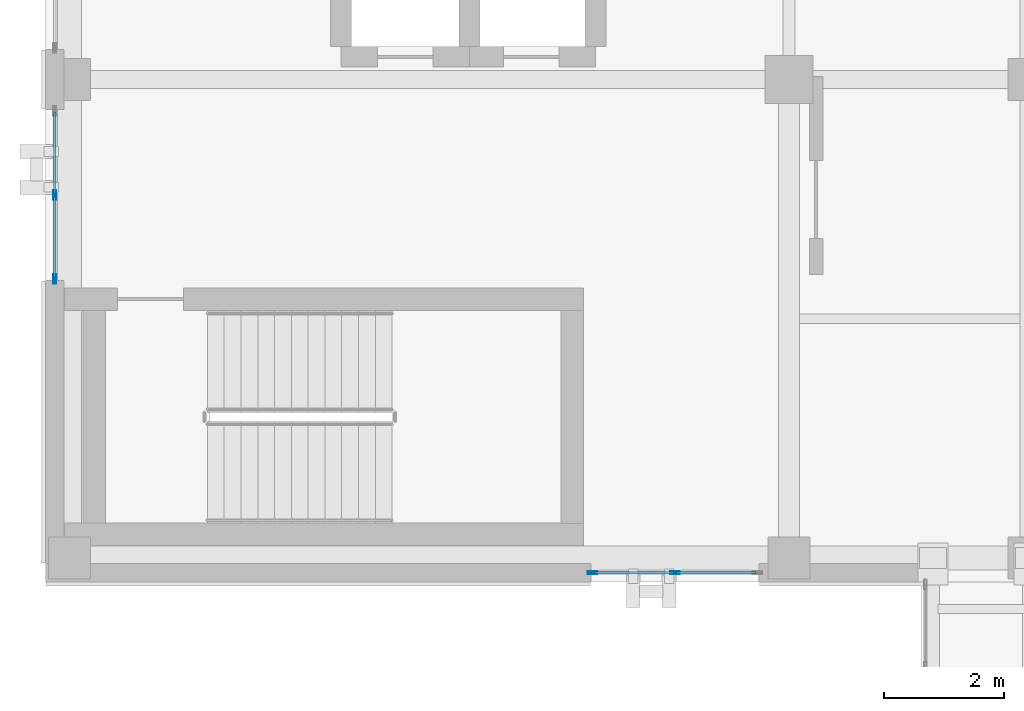
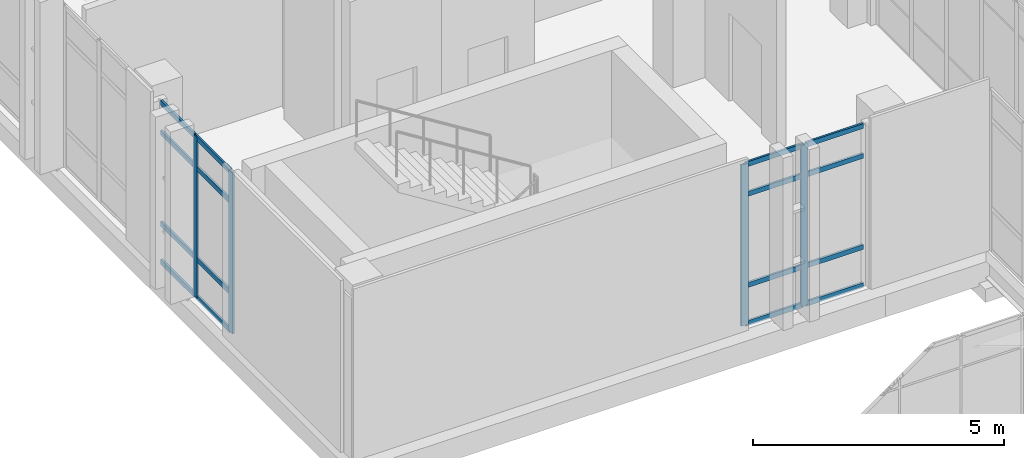
# One storey, part 20 of 193: 20 members, 2 elements without a shape of their own.
"""IFC4 building model written with IfcOpenShell, lengths in metres."""

from ifc_helpers import new_model, si_unit, direction, frame, origin, origin_2d, place, context, subcontext, project, spatial, hollow_rectangle, extrude, material, layer, layer_set, material_profile, profile_set, type_object, element, aggregate, save


model = new_model("IFC4")

# Units and contexts
model_context = context("Model", 3, precision=1e-05, world=origin(), true_north=direction((0.0, 1.0)))
body_context = subcontext(model_context, "Body", "Model", "MODEL_VIEW")
ifc_project = project(units=[si_unit("LENGTHUNIT", "METRE"), si_unit("AREAUNIT", "SQUARE_METRE"), si_unit("VOLUMEUNIT", "CUBIC_METRE"), si_unit("PLANEANGLEUNIT", "RADIAN"), si_unit("MASSUNIT", "GRAM", prefix="KILO")], contexts=[model_context])

# Site, building, storey
site_placement = place(None, origin())
site = spatial("IfcSite", under=ifc_project, at=site_placement, CompositionType="ELEMENT")
building_placement = place(site_placement, origin())
building = spatial("IfcBuilding", under=site, at=building_placement, Name="Qalavern Law Courts", CompositionType="ELEMENT")
storey_placement = place(building_placement, frame((0.0, 0.0, 10.199951171875)))
storey = spatial("IfcBuildingStorey", under=building, at=storey_placement, Name="L02", CompositionType="ELEMENT", Elevation=10.199951171875)

# Curtain wall, members
ifc_material_1 = material(Name="Anodised aluminium and insulated glazing", Category="aluminium")
ifc_layer = layer(ifc_material_1, 0.172119140625)
ifc_layer_set = layer_set([ifc_layer], Name="Anodised aluminium and insulated glazing")
curtain_wall_type = type_object("IfcCurtainWallType", Name="ENV-CW-COURT", PredefinedType="USERDEFINED", material=ifc_layer_set)
curtain_wall_1_placement = place(storey_placement, origin())
curtain_wall_1 = element("IfcCurtainWall", 1, at=curtain_wall_1_placement, inside=storey, type_object=curtain_wall_type, Name="V3 unitised curtain wall L02 south 1", ObjectType="UNITISED CURTAIN WALL", PredefinedType="USERDEFINED")
ifc_material_2 = material(Name="Anodised aluminium", Category="aluminium")
ifc_material_profile_1 = material_profile(ifc_material_2, hollow_rectangle(XDim=0.048095703125, YDim=0.159912109375, WallThickness=0.00390625, at=origin_2d()), Name="ALU MULLION 48x160")
ifc_profile_set_1 = profile_set([ifc_material_profile_1], Name="Anodised aluminium")
member_type_1 = type_object("IfcMemberType", Name="ENV-CWM-48x160", PredefinedType="MULLION", material=ifc_profile_set_1)
member_1_placement = place(storey_placement, frame((11.1240234375, 41.175048828125, 0.0), z_axis=(0.0, 0.0, 1.0), x_axis=(0.0, 1.0, 0.0)))
member_1 = element("IfcMember", 2, at=member_1_placement, type_object=member_type_1, Name="CW-03 mullion 1", PredefinedType="MULLION", context=body_context, shape_type="SweptSolid", body=[
    extrude(hollow_rectangle(XDim=0.048095703125, YDim=0.159912109375, WallThickness=0.00390625, at=origin_2d()), origin(), (0.0, 0.0, 1.0), 3.9150390625),
])
member_2_placement = place(storey_placement, frame((12.5, 41.175048828125, 0.0), z_axis=(0.0, 0.0, 1.0), x_axis=(0.0, 1.0, 0.0)))
member_2 = element("IfcMember", 3, at=member_2_placement, type_object=member_type_1, Name="CW-03 mullion 2", PredefinedType="MULLION", context=body_context, shape_type="SweptSolid", body=[
    extrude(hollow_rectangle(XDim=0.048095703125, YDim=0.159912109375, WallThickness=0.00390625, at=origin_2d()), origin(), (0.0, 0.0, 1.0), 3.9150390625),
])

curtain_wall_2_placement = place(storey_placement, origin())
curtain_wall_2 = element("IfcCurtainWall", 4, at=curtain_wall_2_placement, inside=storey, type_object=curtain_wall_type, Name="V3 unitised curtain wall L02 west 7", ObjectType="UNITISED CURTAIN WALL", PredefinedType="USERDEFINED")
member_3_placement = place(storey_placement, frame((2.155029296875, 47.47509765625, 0.0), z_axis=(0.0, 0.0, 1.0), x_axis=(1.0, 0.0, 0.0)))
member_3 = element("IfcMember", 5, at=member_3_placement, type_object=member_type_1, Name="CW-03 mullion 2", PredefinedType="MULLION", context=body_context, shape_type="SweptSolid", body=[
    extrude(hollow_rectangle(XDim=0.048095703125, YDim=0.159912109375, WallThickness=0.00390625, at=origin_2d()), origin(), (0.0, 0.0, 1.0), 3.9150390625),
])
member_4_placement = place(storey_placement, frame((2.155029296875, 46.073974609375, 0.0), z_axis=(0.0, 0.0, 1.0), x_axis=(1.0, 0.0, 0.0)))
member_4 = element("IfcMember", 6, at=member_4_placement, type_object=member_type_1, Name="CW-03 mullion 3", PredefinedType="MULLION", context=body_context, shape_type="SweptSolid", body=[
    extrude(hollow_rectangle(XDim=0.048095703125, YDim=0.159912109375, WallThickness=0.00390625, at=origin_2d()), origin(), (0.0, 0.0, 1.0), 3.9150390625),
])

# Member
ifc_material_profile_2 = material_profile(ifc_material_2, hollow_rectangle(XDim=0.048095703125, YDim=0.1201171875, WallThickness=0.00390625, at=origin_2d()), Name="ALU TRANSOM 48x120")
ifc_profile_set_2 = profile_set([ifc_material_profile_2], Name="Anodised aluminium")
member_type_2 = type_object("IfcMemberType", Name="ENV-CWT-48x120", PredefinedType="USERDEFINED", material=ifc_profile_set_2)
member_5_placement = place(storey_placement, frame((11.14794921875, 41.175048828125, 0.024169921875), z_axis=(1.0, 0.0, 0.0), x_axis=(0.0, 1.0, 0.0)))
member_5 = element("IfcMember", 7, at=member_5_placement, type_object=member_type_2, Name="CW-03 transom 1.1", ObjectType="TRANSOM", PredefinedType="USERDEFINED", context=body_context, shape_type="SweptSolid", body=[
    extrude(hollow_rectangle(XDim=0.048095703125, YDim=0.1201171875, WallThickness=0.00390625, at=origin_2d()), origin(), (0.0, 0.0, 1.0), 1.328125),
])

member_6_placement = place(storey_placement, frame((11.14794921875, 41.175048828125, 0.949951171875), z_axis=(1.0, 0.0, 0.0), x_axis=(0.0, 1.0, 0.0)))
member_6 = element("IfcMember", 8, at=member_6_placement, type_object=member_type_2, Name="CW-03 transom 1.2", ObjectType="TRANSOM", PredefinedType="USERDEFINED", context=body_context, shape_type="SweptSolid", body=[
    extrude(hollow_rectangle(XDim=0.048095703125, YDim=0.1201171875, WallThickness=0.00390625, at=origin_2d()), origin(), (0.0, 0.0, 1.0), 1.328125),
])

member_7_placement = place(storey_placement, frame((11.14794921875, 41.175048828125, 3.1650390625), z_axis=(1.0, 0.0, 0.0), x_axis=(0.0, 1.0, 0.0)))
member_7 = element("IfcMember", 9, at=member_7_placement, type_object=member_type_2, Name="CW-03 transom 1.3", ObjectType="TRANSOM", PredefinedType="USERDEFINED", context=body_context, shape_type="SweptSolid", body=[
    extrude(hollow_rectangle(XDim=0.048095703125, YDim=0.1201171875, WallThickness=0.00390625, at=origin_2d()), origin(), (0.0, 0.0, 1.0), 1.328125),
])

member_8_placement = place(storey_placement, frame((11.14794921875, 41.175048828125, 3.89111328125), z_axis=(1.0, 0.0, 0.0), x_axis=(0.0, 1.0, 0.0)))
member_8 = element("IfcMember", 10, at=member_8_placement, type_object=member_type_2, Name="CW-03 transom 1.4", ObjectType="TRANSOM", PredefinedType="USERDEFINED", context=body_context, shape_type="SweptSolid", body=[
    extrude(hollow_rectangle(XDim=0.048095703125, YDim=0.1201171875, WallThickness=0.00390625, at=origin_2d()), origin(), (0.0, 0.0, 1.0), 1.328125),
])

member_9_placement = place(storey_placement, frame((12.52392578125, 41.175048828125, 0.024169921875), z_axis=(1.0, 0.0, 0.0), x_axis=(0.0, 1.0, 0.0)))
member_9 = element("IfcMember", 11, at=member_9_placement, type_object=member_type_2, Name="CW-03 transom 2.1", ObjectType="TRANSOM", PredefinedType="USERDEFINED", context=body_context, shape_type="SweptSolid", body=[
    extrude(hollow_rectangle(XDim=0.048095703125, YDim=0.1201171875, WallThickness=0.00390625, at=origin_2d()), origin(), (0.0, 0.0, 1.0), 1.328125),
])

member_10_placement = place(storey_placement, frame((12.52392578125, 41.175048828125, 0.949951171875), z_axis=(1.0, 0.0, 0.0), x_axis=(0.0, 1.0, 0.0)))
member_10 = element("IfcMember", 12, at=member_10_placement, type_object=member_type_2, Name="CW-03 transom 2.2", ObjectType="TRANSOM", PredefinedType="USERDEFINED", context=body_context, shape_type="SweptSolid", body=[
    extrude(hollow_rectangle(XDim=0.048095703125, YDim=0.1201171875, WallThickness=0.00390625, at=origin_2d()), origin(), (0.0, 0.0, 1.0), 1.328125),
])

member_11_placement = place(storey_placement, frame((12.52392578125, 41.175048828125, 3.1650390625), z_axis=(1.0, 0.0, 0.0), x_axis=(0.0, 1.0, 0.0)))
member_11 = element("IfcMember", 13, at=member_11_placement, type_object=member_type_2, Name="CW-03 transom 2.3", ObjectType="TRANSOM", PredefinedType="USERDEFINED", context=body_context, shape_type="SweptSolid", body=[
    extrude(hollow_rectangle(XDim=0.048095703125, YDim=0.1201171875, WallThickness=0.00390625, at=origin_2d()), origin(), (0.0, 0.0, 1.0), 1.328125),
])

member_12_placement = place(storey_placement, frame((12.52392578125, 41.175048828125, 3.89111328125), z_axis=(1.0, 0.0, 0.0), x_axis=(0.0, 1.0, 0.0)))
member_12 = element("IfcMember", 14, at=member_12_placement, type_object=member_type_2, Name="CW-03 transom 2.4", ObjectType="TRANSOM", PredefinedType="USERDEFINED", context=body_context, shape_type="SweptSolid", body=[
    extrude(hollow_rectangle(XDim=0.048095703125, YDim=0.1201171875, WallThickness=0.00390625, at=origin_2d()), origin(), (0.0, 0.0, 1.0), 1.328125),
])

aggregate(curtain_wall_1, [member_1, member_2, member_5, member_6, member_7, member_8, member_9, member_10, member_11, member_12])

member_13_placement = place(storey_placement, frame((2.155029296875, 48.85205078125, 0.024169921875), z_axis=(0.0, -1.0, 0.0), x_axis=(1.0, 0.0, 0.0)))
member_13 = element("IfcMember", 15, at=member_13_placement, type_object=member_type_2, Name="CW-03 transom 1.1", ObjectType="TRANSOM", PredefinedType="USERDEFINED", context=body_context, shape_type="SweptSolid", body=[
    extrude(hollow_rectangle(XDim=0.048095703125, YDim=0.1201171875, WallThickness=0.00390625, at=origin_2d()), origin(), (0.0, 0.0, 1.0), 1.35302734375),
])

member_14_placement = place(storey_placement, frame((2.155029296875, 48.85205078125, 0.949951171875), z_axis=(0.0, -1.0, 0.0), x_axis=(1.0, 0.0, 0.0)))
member_14 = element("IfcMember", 16, at=member_14_placement, type_object=member_type_2, Name="CW-03 transom 1.2", ObjectType="TRANSOM", PredefinedType="USERDEFINED", context=body_context, shape_type="SweptSolid", body=[
    extrude(hollow_rectangle(XDim=0.048095703125, YDim=0.1201171875, WallThickness=0.00390625, at=origin_2d()), origin(), (0.0, 0.0, 1.0), 1.35302734375),
])

member_15_placement = place(storey_placement, frame((2.155029296875, 48.85205078125, 3.1650390625), z_axis=(0.0, -1.0, 0.0), x_axis=(1.0, 0.0, 0.0)))
member_15 = element("IfcMember", 17, at=member_15_placement, type_object=member_type_2, Name="CW-03 transom 1.3", ObjectType="TRANSOM", PredefinedType="USERDEFINED", context=body_context, shape_type="SweptSolid", body=[
    extrude(hollow_rectangle(XDim=0.048095703125, YDim=0.1201171875, WallThickness=0.00390625, at=origin_2d()), origin(), (0.0, 0.0, 1.0), 1.35302734375),
])

member_16_placement = place(storey_placement, frame((2.155029296875, 48.85205078125, 3.89111328125), z_axis=(0.0, -1.0, 0.0), x_axis=(1.0, 0.0, 0.0)))
member_16 = element("IfcMember", 18, at=member_16_placement, type_object=member_type_2, Name="CW-03 transom 1.4", ObjectType="TRANSOM", PredefinedType="USERDEFINED", context=body_context, shape_type="SweptSolid", body=[
    extrude(hollow_rectangle(XDim=0.048095703125, YDim=0.1201171875, WallThickness=0.00390625, at=origin_2d()), origin(), (0.0, 0.0, 1.0), 1.35302734375),
])

member_17_placement = place(storey_placement, frame((2.155029296875, 47.450927734375, 0.024169921875), z_axis=(0.0, -1.0, 0.0), x_axis=(1.0, 0.0, 0.0)))
member_17 = element("IfcMember", 19, at=member_17_placement, type_object=member_type_2, Name="CW-03 transom 2.1", ObjectType="TRANSOM", PredefinedType="USERDEFINED", context=body_context, shape_type="SweptSolid", body=[
    extrude(hollow_rectangle(XDim=0.048095703125, YDim=0.1201171875, WallThickness=0.00390625, at=origin_2d()), origin(), (0.0, 0.0, 1.0), 1.35302734375),
])

member_18_placement = place(storey_placement, frame((2.155029296875, 47.450927734375, 0.949951171875), z_axis=(0.0, -1.0, 0.0), x_axis=(1.0, 0.0, 0.0)))
member_18 = element("IfcMember", 20, at=member_18_placement, type_object=member_type_2, Name="CW-03 transom 2.2", ObjectType="TRANSOM", PredefinedType="USERDEFINED", context=body_context, shape_type="SweptSolid", body=[
    extrude(hollow_rectangle(XDim=0.048095703125, YDim=0.1201171875, WallThickness=0.00390625, at=origin_2d()), origin(), (0.0, 0.0, 1.0), 1.35302734375),
])

member_19_placement = place(storey_placement, frame((2.155029296875, 47.450927734375, 3.1650390625), z_axis=(0.0, -1.0, 0.0), x_axis=(1.0, 0.0, 0.0)))
member_19 = element("IfcMember", 21, at=member_19_placement, type_object=member_type_2, Name="CW-03 transom 2.3", ObjectType="TRANSOM", PredefinedType="USERDEFINED", context=body_context, shape_type="SweptSolid", body=[
    extrude(hollow_rectangle(XDim=0.048095703125, YDim=0.1201171875, WallThickness=0.00390625, at=origin_2d()), origin(), (0.0, 0.0, 1.0), 1.35302734375),
])

member_20_placement = place(storey_placement, frame((2.155029296875, 47.450927734375, 3.89111328125), z_axis=(0.0, -1.0, 0.0), x_axis=(1.0, 0.0, 0.0)))
member_20 = element("IfcMember", 22, at=member_20_placement, type_object=member_type_2, Name="CW-03 transom 2.4", ObjectType="TRANSOM", PredefinedType="USERDEFINED", context=body_context, shape_type="SweptSolid", body=[
    extrude(hollow_rectangle(XDim=0.048095703125, YDim=0.1201171875, WallThickness=0.00390625, at=origin_2d()), origin(), (0.0, 0.0, 1.0), 1.35302734375),
])

aggregate(curtain_wall_2, [member_3, member_4, member_13, member_14, member_15, member_16, member_17, member_18, member_19, member_20])

save(model, "model.ifc")
